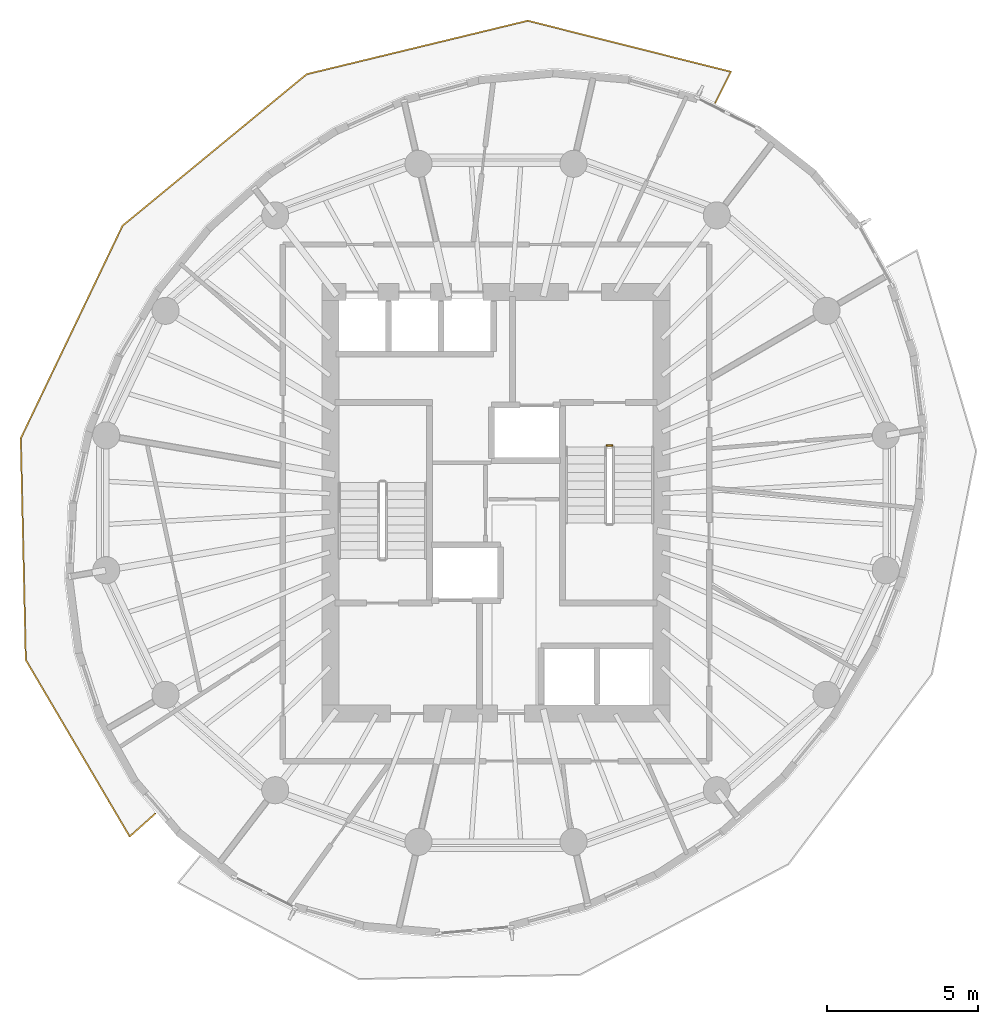
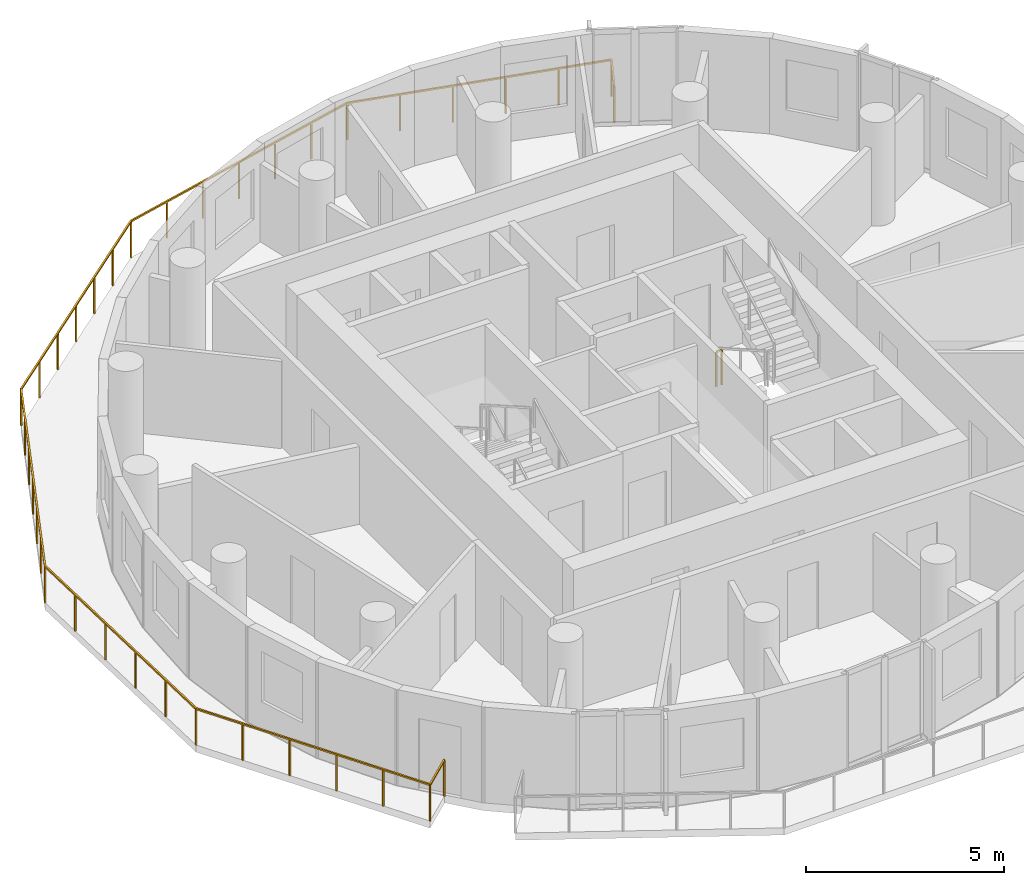
# One storey, part 9 of 10: 2 railings.
"""IFC4 building model written with IfcOpenShell, lengths in metres."""

from ifc_helpers import new_model, si_unit, direction, frame, origin, origin_2d, place, context, subcontext, project, spatial, rectangle, extrude, material, type_object, element, save


model = new_model("IFC4")

# Units and contexts
model_context = context("Model", 3, precision=1e-05, world=origin(), true_north=direction((0.0, 1.0)))
body_context = subcontext(model_context, "Body", "Model", "MODEL_VIEW")
ifc_project = project(units=[si_unit("LENGTHUNIT", "METRE"), si_unit("AREAUNIT", "SQUARE_METRE"), si_unit("VOLUMEUNIT", "CUBIC_METRE"), si_unit("PLANEANGLEUNIT", "RADIAN"), si_unit("MASSUNIT", "GRAM", prefix="KILO")], contexts=[model_context])

# Site, building, storey
site_placement = place(None, origin())
site = spatial("IfcSite", under=ifc_project, at=site_placement, CompositionType="ELEMENT")
building_placement = place(site_placement, origin())
building = spatial("IfcBuilding", under=site, at=building_placement, Name="Veldorim Arch Residences", CompositionType="ELEMENT")
storey_placement = place(building_placement, frame((0.0, 0.0, 185.43994140625)))
storey = spatial("IfcBuildingStorey", under=building, at=storey_placement, Name="L55", CompositionType="ELEMENT", Elevation=185.43994140625)

# Railings
ifc_material_1 = material(Name="Aluminium", Category="aluminium")
railing_type_1 = type_object("IfcRailingType", Name="Balcony & Terrace Laminated Glass Balustrade 1150", PredefinedType="BALUSTRADE", material=ifc_material_1)
railing_1_placement = place(storey_placement, frame((39.28564453125, 37.28955078125, 0.0)))
element("IfcRailing", 1, at=railing_1_placement, inside=storey, type_object=railing_type_1, Name="L55 crescent balcony safety balustrade A", PredefinedType="BALUSTRADE", context=body_context, shape_type="SweptSolid", body=[
    extrude(rectangle(XDim=0.048095703125, YDim=0.048095703125, at=origin_2d()), frame((0.0, 0.0, 1.1259765625), z_axis=(0.447723022826, 0.894172295943, 0.0), x_axis=(-0.894172295943, 0.447723022826, 0.0)), (0.0, 0.0, 1.0), 1.150146484375),
    extrude(rectangle(XDim=0.048095703125, YDim=0.048095703125, at=origin_2d()), frame((0.514892578125, 1.0283203125, 1.1259765625), z_axis=(-0.969867306895, 0.243633755906, 0.0), x_axis=(-0.243633755906, -0.969867306895, 0.0)), (0.0, 0.0, 1.0), 6.95654296875),
    extrude(rectangle(XDim=0.048095703125, YDim=0.048095703125, at=origin_2d()), frame((-6.23193359375, 2.72314453125, 1.1259765625), z_axis=(-0.971974853361, -0.235084845181, 0.0), x_axis=(0.235084845181, -0.971974853361, 0.0)), (0.0, 0.0, 1.0), 7.55517578125),
    extrude(rectangle(XDim=0.048095703125, YDim=0.048095703125, at=origin_2d()), frame((-13.575439453125, 0.947021484375, 1.1259765625), z_axis=(-0.772143770454, -0.63544787178, 0.0), x_axis=(0.63544787178, -0.772143770454, 0.0)), (0.0, 0.0, 1.0), 7.919189453125),
    extrude(rectangle(XDim=0.048095703125, YDim=0.048095703125, at=origin_2d()), frame((-19.690185546875, -4.085205078125, 1.1259765625), z_axis=(-0.431709195484, -0.902012843886, 0.0), x_axis=(0.902012843886, -0.431709195484, 0.0)), (0.0, 0.0, 1.0), 7.831298828125),
    extrude(rectangle(XDim=0.048095703125, YDim=0.048095703125, at=origin_2d()), frame((-23.071044921875, -11.149169921875, 1.1259765625), z_axis=(0.022566116971, -0.99974535276, 0.0), x_axis=(0.99974535276, 0.022566116971, 0.0)), (0.0, 0.0, 1.0), 7.35693359375),
    extrude(rectangle(XDim=0.048095703125, YDim=0.048095703125, at=origin_2d()), frame((-22.905029296875, -18.504150390625, 1.1259765625), z_axis=(0.506946480166, -0.861977532333, 0.0), x_axis=(0.861977532333, 0.506946480166, 0.0)), (0.0, 0.0, 1.0), 6.809326171875),
    extrude(rectangle(XDim=0.048095703125, YDim=0.048095703125, at=origin_2d()), frame((-19.453125, -24.37353515625, 1.1259765625), z_axis=(0.745485535106, 0.666521805305, 0.0), x_axis=(-0.666521805305, 0.745485535106, 0.0)), (0.0, 0.0, 1.0), 1.150146484375),
    extrude(rectangle(XDim=0.0419921875, YDim=0.0419921875, at=origin_2d()), origin(), (0.0, 0.0, 1.0), 1.101806640625),
    extrude(rectangle(XDim=0.0419921875, YDim=0.0419921875, at=origin_2d()), frame((0.514892578125, 1.0283203125, 0.0)), (0.0, 0.0, 1.0), 1.101806640625),
    extrude(rectangle(XDim=0.0419921875, YDim=0.0419921875, at=origin_2d()), frame((-0.83447265625, 1.3671875, 0.0)), (0.0, 0.0, 1.0), 1.101806640625),
    extrude(rectangle(XDim=0.0419921875, YDim=0.0419921875, at=origin_2d()), frame((-2.183837890625, 1.706298828125, 0.0)), (0.0, 0.0, 1.0), 1.101806640625),
    extrude(rectangle(XDim=0.0419921875, YDim=0.0419921875, at=origin_2d()), frame((-3.533203125, 2.045166015625, 0.0)), (0.0, 0.0, 1.0), 1.101806640625),
    extrude(rectangle(XDim=0.0419921875, YDim=0.0419921875, at=origin_2d()), frame((-4.882568359375, 2.38427734375, 0.0)), (0.0, 0.0, 1.0), 1.101806640625),
    extrude(rectangle(XDim=0.0419921875, YDim=0.0419921875, at=origin_2d()), frame((-6.23193359375, 2.72314453125, 0.0)), (0.0, 0.0, 1.0), 1.101806640625),
    extrude(rectangle(XDim=0.0419921875, YDim=0.0419921875, at=origin_2d()), frame((-7.455810546875, 2.42724609375, 0.0)), (0.0, 0.0, 1.0), 1.101806640625),
    extrude(rectangle(XDim=0.0419921875, YDim=0.0419921875, at=origin_2d()), frame((-8.6796875, 2.131103515625, 0.0)), (0.0, 0.0, 1.0), 1.101806640625),
    extrude(rectangle(XDim=0.0419921875, YDim=0.0419921875, at=origin_2d()), frame((-9.90380859375, 1.8349609375, 0.0)), (0.0, 0.0, 1.0), 1.101806640625),
    extrude(rectangle(XDim=0.0419921875, YDim=0.0419921875, at=origin_2d()), frame((-11.127685546875, 1.5390625, 0.0)), (0.0, 0.0, 1.0), 1.101806640625),
    extrude(rectangle(XDim=0.0419921875, YDim=0.0419921875, at=origin_2d()), frame((-12.3515625, 1.2431640625, 0.0)), (0.0, 0.0, 1.0), 1.101806640625),
    extrude(rectangle(XDim=0.0419921875, YDim=0.0419921875, at=origin_2d()), frame((-13.575439453125, 0.947021484375, 0.0)), (0.0, 0.0, 1.0), 1.101806640625),
    extrude(rectangle(XDim=0.0419921875, YDim=0.0419921875, at=origin_2d()), frame((-14.594482421875, 0.1083984375, 0.0)), (0.0, 0.0, 1.0), 1.101806640625),
    extrude(rectangle(XDim=0.0419921875, YDim=0.0419921875, at=origin_2d()), frame((-15.61376953125, -0.73046875, 0.0)), (0.0, 0.0, 1.0), 1.101806640625),
    extrude(rectangle(XDim=0.0419921875, YDim=0.0419921875, at=origin_2d()), frame((-16.6328125, -1.569091796875, 0.0)), (0.0, 0.0, 1.0), 1.101806640625),
    extrude(rectangle(XDim=0.0419921875, YDim=0.0419921875, at=origin_2d()), frame((-17.65185546875, -2.40771484375, 0.0)), (0.0, 0.0, 1.0), 1.101806640625),
    extrude(rectangle(XDim=0.0419921875, YDim=0.0419921875, at=origin_2d()), frame((-18.671142578125, -3.24658203125, 0.0)), (0.0, 0.0, 1.0), 1.101806640625),
    extrude(rectangle(XDim=0.0419921875, YDim=0.0419921875, at=origin_2d()), frame((-19.690185546875, -4.085205078125, 0.0)), (0.0, 0.0, 1.0), 1.101806640625),
    extrude(rectangle(XDim=0.0419921875, YDim=0.0419921875, at=origin_2d()), frame((-20.253662109375, -5.262451171875, 0.0)), (0.0, 0.0, 1.0), 1.101806640625),
    extrude(rectangle(XDim=0.0419921875, YDim=0.0419921875, at=origin_2d()), frame((-20.817138671875, -6.43994140625, 0.0)), (0.0, 0.0, 1.0), 1.101806640625),
    extrude(rectangle(XDim=0.0419921875, YDim=0.0419921875, at=origin_2d()), frame((-21.380615234375, -7.6171875, 0.0)), (0.0, 0.0, 1.0), 1.101806640625),
    extrude(rectangle(XDim=0.0419921875, YDim=0.0419921875, at=origin_2d()), frame((-21.944091796875, -8.79443359375, 0.0)), (0.0, 0.0, 1.0), 1.101806640625),
    extrude(rectangle(XDim=0.0419921875, YDim=0.0419921875, at=origin_2d()), frame((-22.507568359375, -9.971923828125, 0.0)), (0.0, 0.0, 1.0), 1.101806640625),
    extrude(rectangle(XDim=0.0419921875, YDim=0.0419921875, at=origin_2d()), frame((-23.071044921875, -11.149169921875, 0.0)), (0.0, 0.0, 1.0), 1.101806640625),
    extrude(rectangle(XDim=0.0419921875, YDim=0.0419921875, at=origin_2d()), frame((-23.037841796875, -12.6201171875, 0.0)), (0.0, 0.0, 1.0), 1.101806640625),
    extrude(rectangle(XDim=0.0419921875, YDim=0.0419921875, at=origin_2d()), frame((-23.004638671875, -14.091064453125, 0.0)), (0.0, 0.0, 1.0), 1.101806640625),
    extrude(rectangle(XDim=0.0419921875, YDim=0.0419921875, at=origin_2d()), frame((-22.971435546875, -15.562255859375, 0.0)), (0.0, 0.0, 1.0), 1.101806640625),
    extrude(rectangle(XDim=0.0419921875, YDim=0.0419921875, at=origin_2d()), frame((-22.938232421875, -17.033203125, 0.0)), (0.0, 0.0, 1.0), 1.101806640625),
    extrude(rectangle(XDim=0.0419921875, YDim=0.0419921875, at=origin_2d()), frame((-22.905029296875, -18.504150390625, 0.0)), (0.0, 0.0, 1.0), 1.101806640625),
    extrude(rectangle(XDim=0.0419921875, YDim=0.0419921875, at=origin_2d()), frame((-22.214599609375, -19.677978515625, 0.0)), (0.0, 0.0, 1.0), 1.101806640625),
    extrude(rectangle(XDim=0.0419921875, YDim=0.0419921875, at=origin_2d()), frame((-21.524169921875, -20.851806640625, 0.0)), (0.0, 0.0, 1.0), 1.101806640625),
    extrude(rectangle(XDim=0.0419921875, YDim=0.0419921875, at=origin_2d()), frame((-20.833984375, -22.02587890625, 0.0)), (0.0, 0.0, 1.0), 1.101806640625),
    extrude(rectangle(XDim=0.0419921875, YDim=0.0419921875, at=origin_2d()), frame((-20.1435546875, -23.19970703125, 0.0)), (0.0, 0.0, 1.0), 1.101806640625),
    extrude(rectangle(XDim=0.0419921875, YDim=0.0419921875, at=origin_2d()), frame((-19.453125, -24.37353515625, 0.0)), (0.0, 0.0, 1.0), 1.101806640625),
    extrude(rectangle(XDim=0.0419921875, YDim=0.0419921875, at=origin_2d()), frame((-18.595703125, -23.60693359375, 0.0)), (0.0, 0.0, 1.0), 1.101806640625),
])
ifc_material_2 = material(Name="Steel S355", Category="steel")
railing_type_2 = type_object("IfcRailingType", Name="Galvanised Steel Stair Safety Guardrail 1100", PredefinedType="GUARDRAIL", material=ifc_material_2)
railing_2_placement = place(storey_placement, frame((35.68994140625, 25.89990234375, 0.0)))
element("IfcRailing", 2, at=railing_2_placement, inside=storey, type_object=railing_type_2, Name="L55 ST-2 stair guard 4", PredefinedType="GUARDRAIL", context=body_context, shape_type="SweptSolid", body=[
    extrude(rectangle(XDim=0.048095703125, YDim=0.048095703125, at=origin_2d()), frame((0.0, 0.0, 1.076171875), z_axis=(1.0, 0.0, 0.0), x_axis=(0.0, 1.0, 0.0)), (0.0, 0.0, 1.0), 0.16015625),
    extrude(rectangle(XDim=0.0419921875, YDim=0.0419921875, at=origin_2d()), origin(), (0.0, 0.0, 1.0), 1.052001953125),
    extrude(rectangle(XDim=0.0419921875, YDim=0.0419921875, at=origin_2d()), frame((0.16015625, 0.0, 0.0)), (0.0, 0.0, 1.0), 1.052001953125),
])

save(model, "model.ifc")
